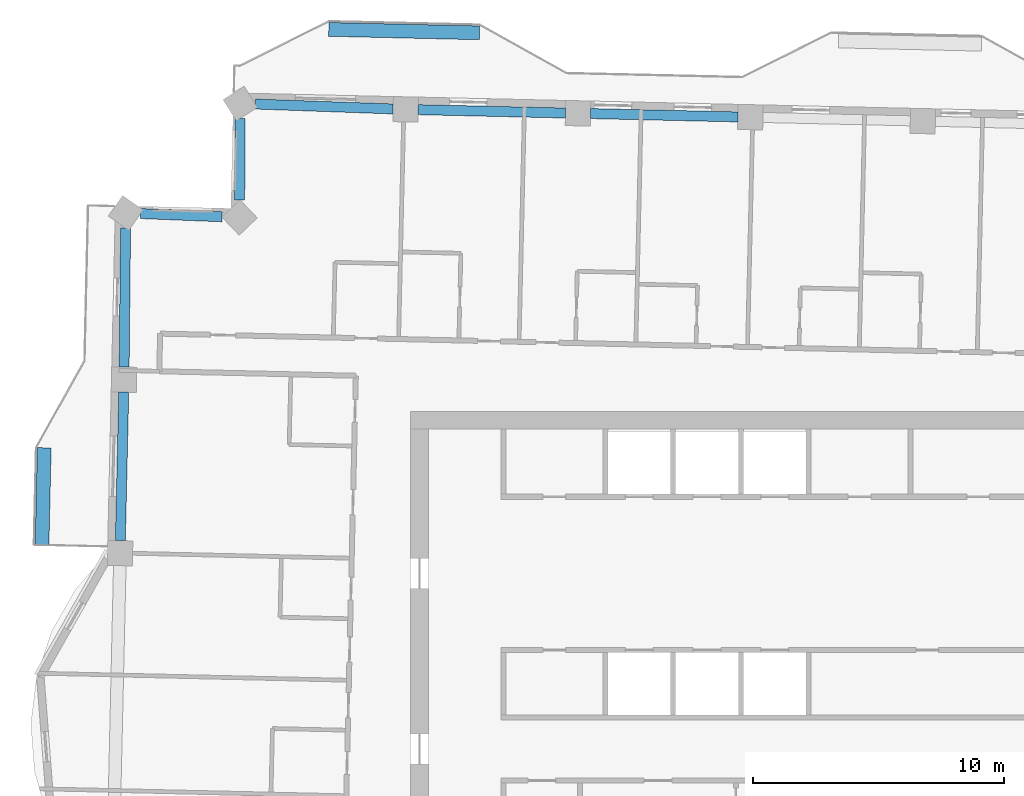
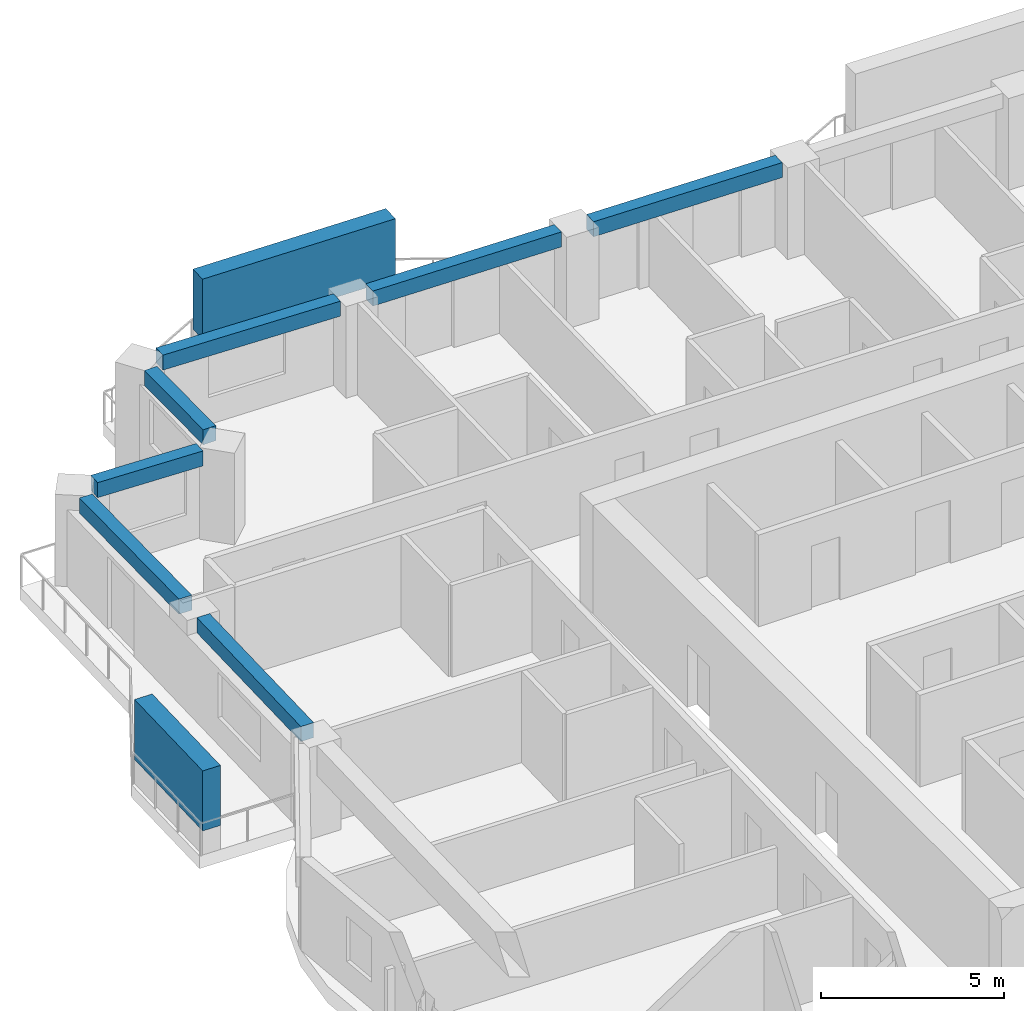
# One storey, part 3 of 17: 7 beams, 2 members.
"""IFC4 building model written with IfcOpenShell, lengths in metres."""

from ifc_helpers import new_model, si_unit, direction, frame, origin, origin_2d, place, context, subcontext, project, spatial, rectangle, extrude, material, material_profile, profile_set, type_object, element, save


model = new_model("IFC4")

# Units and contexts
model_context = context("Model", 3, precision=1e-05, world=origin(), true_north=direction((0.0, 1.0)))
body_context = subcontext(model_context, "Body", "Model", "MODEL_VIEW")
ifc_project = project(units=[si_unit("LENGTHUNIT", "METRE"), si_unit("AREAUNIT", "SQUARE_METRE"), si_unit("VOLUMEUNIT", "CUBIC_METRE"), si_unit("PLANEANGLEUNIT", "RADIAN"), si_unit("MASSUNIT", "GRAM", prefix="KILO")], contexts=[model_context])

# Site, building, storey
site_placement = place(None, origin())
site = spatial("IfcSite", under=ifc_project, at=site_placement, CompositionType="ELEMENT")
building_placement = place(site_placement, origin())
building = spatial("IfcBuilding", under=site, at=building_placement, Name="Mangrove Gate Tower", CompositionType="ELEMENT")
storey_placement = place(building_placement, frame((0.0, 0.0, 264.5)))
storey = spatial("IfcBuildingStorey", under=building, at=storey_placement, Name="L67", CompositionType="ELEMENT", Elevation=264.5)

# Members
ifc_material_1 = material(Name="Planting on aluminium trellis", Category="aluminium")
ifc_material_profile_1 = material_profile(ifc_material_1, rectangle(XDim=0.550048828125, YDim=2.0, at=origin_2d()))
ifc_profile_set_1 = profile_set([ifc_material_profile_1], Name="Planting on aluminium trellis")
member_type = type_object("IfcMemberType", Name="Balcony greenery screen 550x2000", PredefinedType="USERDEFINED", material=ifc_profile_set_1)
member_1_placement = place(storey_placement, frame((-17.760986328125, 26.7119140625, 1.800048828125), z_axis=(0.999739392852, -0.022828630714, 0.0), x_axis=(0.022828630714, 0.999739392852, 0.0)))
element("IfcMember", 1, at=member_1_placement, inside=storey, type_object=member_type, Name="GREEN SCREEN L67 N1.1", ObjectType="PLANTING", PredefinedType="USERDEFINED", context=body_context, shape_type="SweptSolid", body=[
    extrude(rectangle(XDim=0.550048828125, YDim=2.0, at=origin_2d()), origin(), (0.0, 0.0, 1.0), 5.99951171875),
])
member_2_placement = place(storey_placement, frame((-29.180908203125, 6.176025390625, 1.800048828125), z_axis=(0.022681332769, 0.999742745482, 0.0), x_axis=(-0.999742745482, 0.022681332769, 0.0)))
element("IfcMember", 2, at=member_2_placement, inside=storey, type_object=member_type, Name="GREEN SCREEN L67 W0.1", ObjectType="PLANTING", PredefinedType="USERDEFINED", context=body_context, shape_type="SweptSolid", body=[
    extrude(rectangle(XDim=0.550048828125, YDim=2.0, at=origin_2d()), origin(), (0.0, 0.0, 1.0), 3.875),
])

# Beams
ifc_material_2 = material(Name="Concrete C50/60", Category="concrete")
ifc_material_profile_2 = material_profile(ifc_material_2, rectangle(XDim=0.39990234375, YDim=0.5, at=origin_2d()))
ifc_profile_set_2 = profile_set([ifc_material_profile_2], Name="Concrete C50/60")
beam_type = type_object("IfcBeamType", Name="Edge beam RC 400x500 C50/60", PredefinedType="BEAM", material=ifc_profile_set_2)
beam_1_placement = place(storey_placement, frame((-1.47021484375, 23.226318359375, 2.800048828125), z_axis=(-0.999744748613, 0.022592866593, 0.0), x_axis=(-0.022592866593, -0.999744748613, 0.0)))
element("IfcBeam", 3, at=beam_1_placement, inside=storey, type_object=beam_type, Name="Edge beam L67 24", PredefinedType="BEAM", context=body_context, shape_type="SweptSolid", body=[
    extrude(rectangle(XDim=0.39990234375, YDim=0.5, at=origin_2d()), origin(), (0.0, 0.0, 1.0), 5.86767578125),
])
beam_2_placement = place(storey_placement, frame((-8.336181640625, 23.381591796875, 2.800048828125), z_axis=(-0.999742779972, 0.022679812483, 0.0), x_axis=(-0.022679812483, -0.999742779972, 0.0)))
element("IfcBeam", 4, at=beam_2_placement, inside=storey, type_object=beam_type, Name="Edge beam L67 25", PredefinedType="BEAM", context=body_context, shape_type="SweptSolid", body=[
    extrude(rectangle(XDim=0.39990234375, YDim=0.5, at=origin_2d()), origin(), (0.0, 0.0, 1.0), 5.86669921875),
])
beam_3_placement = place(storey_placement, frame((-15.201171875, 23.5439453125, 2.800048828125), z_axis=(-0.999368457759, 0.035534288165, 0.0), x_axis=(-0.035534288165, -0.999368457759, 0.0)))
element("IfcBeam", 5, at=beam_3_placement, inside=storey, type_object=beam_type, Name="Edge beam L67 26", PredefinedType="BEAM", context=body_context, shape_type="SweptSolid", body=[
    extrude(rectangle(XDim=0.39990234375, YDim=0.5, at=origin_2d()), origin(), (0.0, 0.0, 1.0), 5.482666015625),
])
beam_4_placement = place(storey_placement, frame((-21.290771484375, 23.1650390625, 2.800048828125), z_axis=(-0.006013120391, -0.999981921028, 0.0), x_axis=(0.999981921028, -0.006013120391, 0.0)))
element("IfcBeam", 6, at=beam_4_placement, inside=storey, type_object=beam_type, Name="Edge beam L67 27", PredefinedType="BEAM", context=body_context, shape_type="SweptSolid", body=[
    extrude(rectangle(XDim=0.39990234375, YDim=0.5, at=origin_2d()), origin(), (0.0, 0.0, 1.0), 3.248046875),
])
beam_5_placement = place(storey_placement, frame((-22.009521484375, 19.2490234375, 2.800048828125), z_axis=(-0.999212441991, 0.039679916469, 0.0), x_axis=(-0.039679916469, -0.999212441991, 0.0)))
element("IfcBeam", 7, at=beam_5_placement, inside=storey, type_object=beam_type, Name="Edge beam L67 28", PredefinedType="BEAM", context=body_context, shape_type="SweptSolid", body=[
    extrude(rectangle(XDim=0.39990234375, YDim=0.5, at=origin_2d()), origin(), (0.0, 0.0, 1.0), 3.24853515625),
])
beam_6_placement = place(storey_placement, frame((-25.855224609375, 18.7958984375, 2.800048828125), z_axis=(-0.010108966043, -0.999948903097, 0.0), x_axis=(0.999948903097, -0.010108966043, 0.0)))
element("IfcBeam", 8, at=beam_6_placement, inside=storey, type_object=beam_type, Name="Edge beam L67 29", PredefinedType="BEAM", context=body_context, shape_type="SweptSolid", body=[
    extrude(rectangle(XDim=0.39990234375, YDim=0.5, at=origin_2d()), origin(), (0.0, 0.0, 1.0), 5.530517578125),
])
beam_7_placement = place(storey_placement, frame((-25.927490234375, 12.265869140625, 2.800048828125), z_axis=(-0.022709212486, -0.999742112581, 0.0), x_axis=(0.999742112581, -0.022709212486, 0.0)))
element("IfcBeam", 9, at=beam_7_placement, inside=storey, type_object=beam_type, Name="Edge beam L67 30", PredefinedType="BEAM", context=body_context, shape_type="SweptSolid", body=[
    extrude(rectangle(XDim=0.39990234375, YDim=0.5, at=origin_2d()), origin(), (0.0, 0.0, 1.0), 5.912841796875),
])

save(model, "model.ifc")
